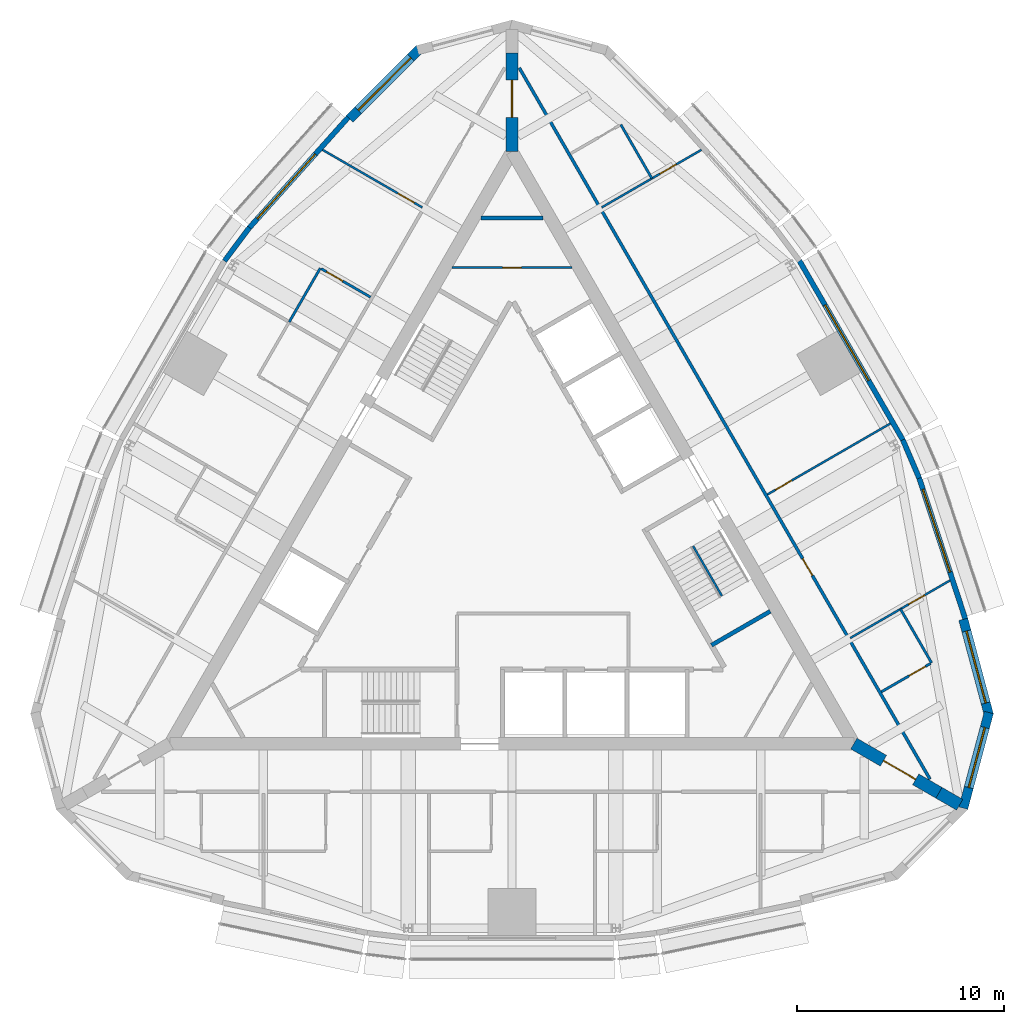
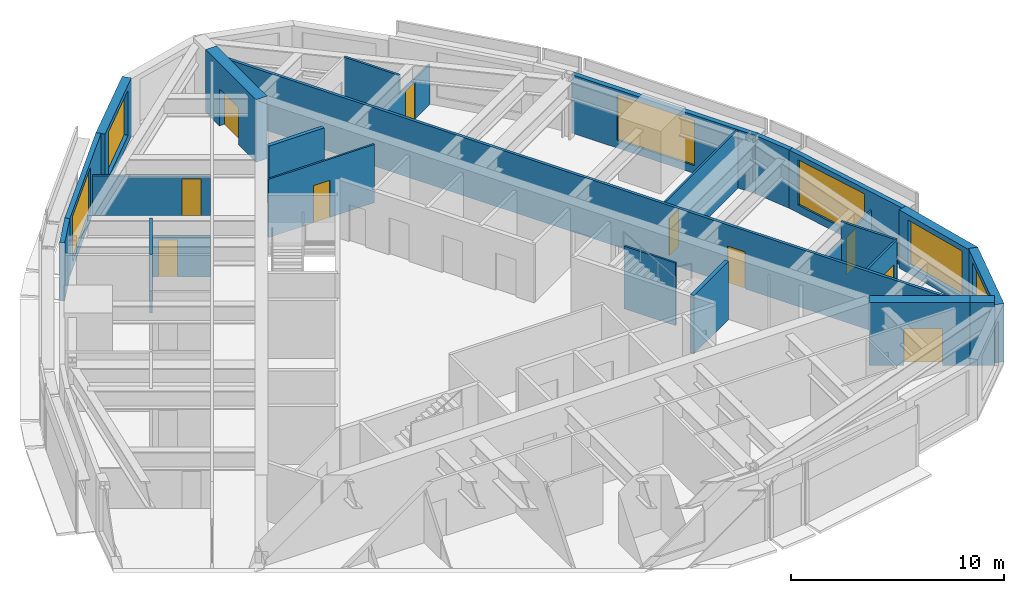
# One storey, part 10 of 12: 25 walls, 10 doors, 6 windows, 16 openings.
"""IFC4 building model written with IfcOpenShell, lengths in metres."""

from ifc_helpers import new_model, si_unit, direction, frame, frame_2d, origin, place, context, subcontext, project, spatial, polyline, rectangle, outline, extrude, material, layer, layer_set, type_object, element, fill, save


model = new_model("IFC4")

# Units and contexts
model_context = context("Model", 3, precision=1e-05, world=origin(), true_north=direction((0.0, 1.0)))
body_context = subcontext(model_context, "Body", "Model", "MODEL_VIEW")
ifc_project = project(units=[si_unit("LENGTHUNIT", "METRE"), si_unit("AREAUNIT", "SQUARE_METRE"), si_unit("VOLUMEUNIT", "CUBIC_METRE"), si_unit("PLANEANGLEUNIT", "RADIAN"), si_unit("MASSUNIT", "GRAM", prefix="KILO")], contexts=[model_context])

# Site, building, storey
site_placement = place(None, origin())
site = spatial("IfcSite", under=ifc_project, at=site_placement, CompositionType="ELEMENT")
building_placement = place(site_placement, origin())
building = spatial("IfcBuilding", under=site, at=building_placement, Name="Trikona Tower", CompositionType="ELEMENT")
storey_placement = place(building_placement, frame((0.0, 0.0, 271.699951171875)))
storey = spatial("IfcBuildingStorey", under=building, at=storey_placement, Name="L72", CompositionType="ELEMENT", Elevation=271.699951171875)

# Wall
ifc_material_1 = material(Name="Metal stud and cement board", Category="gypsum")
ifc_layer_1 = layer(ifc_material_1, 0.1201171875)
ifc_layer_set_1 = layer_set([ifc_layer_1], Name="Bathroom wall 120")
wall_type_1 = type_object("IfcWallType", Name="Bathroom wall 120", PredefinedType="PLUMBINGWALL", material=ifc_layer_set_1)
wall_1_placement = place(storey_placement, frame((20.25341796875, -5.627197265625, 0.0), z_axis=(0.0, 0.0, 1.0), x_axis=(-0.50002537861, 0.866010750942, 0.0)))
element("IfcWall", 1, at=wall_1_placement, inside=storey, type_object=wall_type_1, Name="Bathroom wall 7206.1", PredefinedType="PLUMBINGWALL", context=body_context, shape_type="SweptSolid", body=[
    extrude(rectangle(XDim=2.999755859375, YDim=0.1201171875, at=frame_2d((1.5, 0.0))), origin(), (0.0, 0.0, 1.0), 3.35009765625),
])

# Wall, opening, door
wall_2_placement = place(storey_placement, frame((17.82861328125, -7.027099609375, 0.0), z_axis=(0.0, 0.0, 1.0), x_axis=(0.866035715982, 0.499982138324, 0.0)))
wall_2 = element("IfcWall", 2, at=wall_2_placement, inside=storey, type_object=wall_type_1, Name="Bathroom wall 7206.1", PredefinedType="PLUMBINGWALL", context=body_context, shape_type="SweptSolid", body=[
    extrude(rectangle(XDim=2.73974609375, YDim=0.1201171875, at=frame_2d((1.369873046875, 0.0))), origin(), (0.0, 0.0, 1.0), 3.35009765625),
])
opening_1_placement = place(wall_2_placement, frame((1.550048828125, 0.0, 0.0)))
opening_1 = element("IfcOpeningElement", 3, at=opening_1_placement, cuts=wall_2, Name="Opening D2", PredefinedType="OPENING", context=body_context, shape_type="SweptSolid", body=[
    extrude(rectangle(XDim=0.89990234375, YDim=2.1298828125, at=frame_2d((0.449951171875, 1.06494140625))), frame((0.0, 0.070068359375, 0.0), z_axis=(0.0, -1.0, 0.0), x_axis=(1.0, 0.0, 0.0)), (0.0, 0.0, 1.0), 0.14013671875),
])
ifc_material_2 = material(Name="Steel door frame with solid-core timber leaf", Category="steel")
door_type_1 = type_object("IfcDoorType", Name="Bathroom door 900x2130", OperationType="SLIDING_TO_LEFT", PredefinedType="DOOR", material=ifc_material_2)
door_1_placement = place(opening_1_placement, origin())
door_1 = element("IfcDoor", 4, at=door_1_placement, inside=storey, type_object=door_type_1, Name="Bathroom door 7206.1", OperationType="SLIDING_TO_LEFT", OverallHeight=2.1298828125, OverallWidth=0.89990234375, PredefinedType="DOOR", context=body_context, shape_type="SweptSolid", body=[
    extrude(rectangle(XDim=0.89990234375, YDim=2.1298828125, at=frame_2d((0.449951171875, 1.06494140625))), frame((0.0, 0.02490234375, 0.0), z_axis=(0.0, -1.0, 0.0), x_axis=(1.0, 0.0, 0.0)), (0.0, 0.0, 1.0), 0.050048828125),
])
fill(opening_1, door_1)

# Walls
for number, where, z_axis, x_axis, name in (
    (5, (6.75341796875, 17.75537109375, 0.0), (0.0, 0.0, 1.0), (-0.499990139034, 0.866031096941, 0.0), "Bathroom wall 7206.2"),
    (6, (-9.25341796875, 13.42529296875, 0.0), (0.0, 0.0, 1.0), (-0.499990139034, -0.866031096941, 0.0), "Bathroom wall 7207.1"),
):
    element("IfcWall", number, at=place(storey_placement, frame(where, z_axis=z_axis, x_axis=x_axis)), inside=storey, type_object=wall_type_1, Name=name, PredefinedType="PLUMBINGWALL", context=body_context, shape_type="SweptSolid", body=[
        extrude(rectangle(XDim=3.0, YDim=0.1201171875, at=frame_2d((1.5, 0.0))), origin(), (0.0, 0.0, 1.0), 3.35009765625),
    ])

# Wall, opening, door
wall_3_placement = place(storey_placement, frame((-6.82861328125, 12.025390625, 0.0), z_axis=(0.0, 0.0, 1.0), x_axis=(-0.866035715982, 0.499982138324, 0.0)))
wall_3 = element("IfcWall", 7, at=wall_3_placement, inside=storey, type_object=wall_type_1, Name="Bathroom wall 7207.1", PredefinedType="PLUMBINGWALL", context=body_context, shape_type="SweptSolid", body=[
    extrude(rectangle(XDim=2.73974609375, YDim=0.1201171875, at=frame_2d((1.369873046875, 0.0))), origin(), (0.0, 0.0, 1.0), 2.30859375),
])
opening_2_placement = place(wall_3_placement, frame((1.550048828125, 0.0, 0.0)))
opening_2 = element("IfcOpeningElement", 8, at=opening_2_placement, cuts=wall_3, Name="Opening D2", PredefinedType="OPENING", context=body_context, shape_type="SweptSolid", body=[
    extrude(rectangle(XDim=0.89990234375, YDim=2.1298828125, at=frame_2d((0.449951171875, 1.06494140625))), frame((0.0, 0.070068359375, 0.0), z_axis=(0.0, -1.0, 0.0), x_axis=(1.0, 0.0, 0.0)), (0.0, 0.0, 1.0), 0.14013671875),
])
door_2_placement = place(opening_2_placement, origin())
door_2 = element("IfcDoor", 9, at=door_2_placement, inside=storey, type_object=door_type_1, Name="Bathroom door 7207.1", OperationType="SLIDING_TO_LEFT", OverallHeight=2.1298828125, OverallWidth=0.89990234375, PredefinedType="DOOR", context=body_context, shape_type="SweptSolid", body=[
    extrude(rectangle(XDim=0.89990234375, YDim=2.1298828125, at=frame_2d((0.449951171875, 1.06494140625))), frame((0.0, 0.02490234375, 0.0), z_axis=(0.0, -1.0, 0.0), x_axis=(1.0, 0.0, 0.0)), (0.0, 0.0, 1.0), 0.050048828125),
])
fill(opening_2, door_2)

# Wall, opening, window
ifc_material_3 = material(Name="Brick-faced precast concrete", Category="masonry")
ifc_layer_2 = layer(ifc_material_3, 0.449951171875)
ifc_layer_set_2 = layer_set([ifc_layer_2], Name="Brick-faced corner wall 450")
wall_type_2 = type_object("IfcWallType", Name="Brick-faced corner wall 450", PredefinedType="SOLIDWALL", material=ifc_layer_set_2)
wall_4_placement = place(storey_placement, frame((21.78271484375, -12.6435546875, 0.0), z_axis=(0.0, 0.0, 1.0), x_axis=(0.25880328844, 0.965930048136, 0.0)))
wall_4 = element("IfcWall", 10, at=wall_4_placement, inside=storey, type_object=wall_type_2, Name="External wall L72-07", PredefinedType="SOLIDWALL", context=body_context, shape_type="SweptSolid", body=[
    extrude(outline(polyline([(4.78173828125, 0.22509765625), (0.43115234375, 0.22509765625), (0.40625, 0.132080078125), (0.0595703125, 0.22509765625), (0.0, 0.22509765625), (0.0, -0.22509765625), (4.78173828125, -0.22509765625), (4.78173828125, 0.22509765625)])), origin(), (0.0, 0.0, 1.0), 3.35009765625),
])
opening_3_placement = place(wall_4_placement, frame((1.031494140625, 0.0, 0.449951171875)))
opening_3 = element("IfcOpeningElement", 11, at=opening_3_placement, cuts=wall_4, Name="Opening W3026", PredefinedType="OPENING", context=body_context, shape_type="SweptSolid", body=[
    extrude(rectangle(XDim=3.0, YDim=2.60009765625, at=frame_2d((1.5, 1.300048828125))), frame((0.0, 0.23486328125, 0.0), z_axis=(0.0, -1.0, 0.0), x_axis=(1.0, 0.0, 0.0)), (0.0, 0.0, 1.0), 0.469970703125),
])
ifc_material_4 = material(Name="Aluminium-framed double glazing", Category="aluminium")
window_type_1 = type_object("IfcWindowType", Name="Window 3000x2600", PartitioningType="SINGLE_PANEL", PredefinedType="WINDOW", material=ifc_material_4)
window_1_placement = place(opening_3_placement, origin())
window_1 = element("IfcWindow", 12, at=window_1_placement, inside=storey, type_object=window_type_1, Name="Window 7206.1", OverallHeight=2.60009765625, OverallWidth=3.0, PartitioningType="SINGLE_PANEL", PredefinedType="WINDOW", context=body_context, shape_type="SweptSolid", body=[
    extrude(rectangle(XDim=3.0, YDim=2.60009765625, at=frame_2d((1.5, 1.300048828125))), frame((0.0, 0.030029296875, 0.0), z_axis=(0.0, -1.0, 0.0), x_axis=(1.0, 0.0, 0.0)), (0.0, 0.0, 1.0), 0.06005859375),
])
fill(opening_3, window_1)

wall_5_placement = place(storey_placement, frame((23.020263671875, -8.14111328125, 0.0), z_axis=(0.0, 0.0, 1.0), x_axis=(-0.25880328844, 0.965930048136, 0.0)))
wall_5 = element("IfcWall", 13, at=wall_5_placement, inside=storey, type_object=wall_type_2, Name="External wall L72-08", PredefinedType="SOLIDWALL", context=body_context, shape_type="SweptSolid", body=[
    extrude(rectangle(XDim=4.78173828125, YDim=0.449951171875, at=frame_2d((2.390869140625, 0.0))), origin(), (0.0, 0.0, 1.0), 3.35009765625),
])
opening_4_placement = place(wall_5_placement, frame((0.5908203125, 0.0, 0.449951171875)))
opening_4 = element("IfcOpeningElement", 14, at=opening_4_placement, cuts=wall_5, Name="Opening W3626", PredefinedType="OPENING", context=body_context, shape_type="SweptSolid", body=[
    extrude(rectangle(XDim=3.60009765625, YDim=2.60009765625, at=frame_2d((1.800048828125, 1.300048828125))), frame((0.0, 0.23486328125, 0.0), z_axis=(0.0, -1.0, 0.0), x_axis=(1.0, 0.0, 0.0)), (0.0, 0.0, 1.0), 0.469970703125),
])
ifc_material_5 = material(Name="Aluminium-framed double glazing", Category="aluminium")
window_type_2 = type_object("IfcWindowType", Name="Window 3600x2600", PartitioningType="SINGLE_PANEL", PredefinedType="WINDOW", material=ifc_material_5)
window_2_placement = place(opening_4_placement, origin())
window_2 = element("IfcWindow", 15, at=window_2_placement, inside=storey, type_object=window_type_2, Name="Window 7206.1", OverallHeight=2.60009765625, OverallWidth=3.60009765625, PartitioningType="SINGLE_PANEL", PredefinedType="WINDOW", context=body_context, shape_type="SweptSolid", body=[
    extrude(rectangle(XDim=3.60009765625, YDim=2.60009765625, at=frame_2d((1.800048828125, 1.300048828125))), frame((0.0, 0.030029296875, 0.0), z_axis=(0.0, -1.0, 0.0), x_axis=(1.0, 0.0, 0.0)), (0.0, 0.0, 1.0), 0.06005859375),
])
fill(opening_4, window_2)

wall_6_placement = place(storey_placement, frame((-4.459716796875, 24.006591796875, 0.0), z_axis=(0.0, 0.0, 1.0), x_axis=(-0.707106781187, -0.707106781187, 0.0)))
wall_6 = element("IfcWall", 16, at=wall_6_placement, inside=storey, type_object=wall_type_2, Name="External wall L72-17", PredefinedType="SOLIDWALL", context=body_context, shape_type="SweptSolid", body=[
    extrude(rectangle(XDim=4.781494140625, YDim=0.449951171875, at=frame_2d((2.390625, 0.0))), origin(), (0.0, 0.0, 1.0), 3.35009765625),
])
opening_5_placement = place(wall_6_placement, frame((0.5908203125, 0.0, 0.449951171875)))
opening_5 = element("IfcOpeningElement", 17, at=opening_5_placement, cuts=wall_6, Name="Opening W3626", PredefinedType="OPENING", context=body_context, shape_type="SweptSolid", body=[
    extrude(rectangle(XDim=3.60009765625, YDim=2.60009765625, at=frame_2d((1.800048828125, 1.300048828125))), frame((0.0, 0.23486328125, 0.0), z_axis=(0.0, -1.0, 0.0), x_axis=(1.0, 0.0, 0.0)), (0.0, 0.0, 1.0), 0.469970703125),
])
window_3_placement = place(opening_5_placement, origin())
window_3 = element("IfcWindow", 18, at=window_3_placement, inside=storey, type_object=window_type_2, Name="Window 7207", OverallHeight=2.60009765625, OverallWidth=3.60009765625, PartitioningType="SINGLE_PANEL", PredefinedType="WINDOW", context=body_context, shape_type="SweptSolid", body=[
    extrude(rectangle(XDim=3.60009765625, YDim=2.60009765625, at=frame_2d((1.800048828125, 1.300048828125))), frame((0.0, 0.030029296875, 0.0), z_axis=(0.0, -1.0, 0.0), x_axis=(1.0, 0.0, 0.0)), (0.0, 0.0, 1.0), 0.06005859375),
])
fill(opening_5, window_3)

# Wall, opening, door
ifc_material_6 = material(Name="Concrete f'c 10000 psi", Category="concrete")
ifc_layer_3 = layer(ifc_material_6, 0.60009765625)
ifc_layer_set_3 = layer_set([ifc_layer_3], Name="Buttress wall 600")
wall_type_3 = type_object("IfcWallType", Name="Buttress wall 600", PredefinedType="SHEAR", material=ifc_layer_set_3)
wall_7_placement = place(storey_placement, frame((16.5, -9.5263671875, 0.0), z_axis=(0.0, 0.0, 1.0), x_axis=(0.866031398331, -0.499989616998, 0.0)))
wall_7 = element("IfcWall", 19, at=wall_7_placement, inside=storey, type_object=wall_type_3, Name="Buttress wall 1", PredefinedType="SHEAR", context=body_context, shape_type="SweptSolid", body=[
    extrude(rectangle(XDim=4.74609375, YDim=0.60009765625, at=frame_2d((2.373046875, 0.0))), origin(), (0.0, 0.0, 1.0), 3.60009765625),
])
opening_6_placement = place(wall_7_placement, frame((1.64990234375, 0.0, 0.0)))
opening_6 = element("IfcOpeningElement", 20, at=opening_6_placement, cuts=wall_7, Name="Opening D10", PredefinedType="OPENING", context=body_context, shape_type="SweptSolid", body=[
    extrude(rectangle(XDim=1.800048828125, YDim=2.1298828125, at=frame_2d((0.89990234375, 1.06494140625))), frame((0.0, 0.31005859375, 0.0), z_axis=(0.0, -1.0, 0.0), x_axis=(1.0, 0.0, 0.0)), (0.0, 0.0, 1.0), 0.6201171875),
])
ifc_material_7 = material(Name="Hollow metal door and frame", Category="steel")
door_type_2 = type_object("IfcDoorType", Name="Cross-corridor door pair 1800x2130", OperationType="DOUBLE_DOOR_DOUBLE_SWING", PredefinedType="DOOR", material=ifc_material_7)
door_3_placement = place(opening_6_placement, origin())
door_3 = element("IfcDoor", 21, at=door_3_placement, inside=storey, type_object=door_type_2, Name="Cross-corridor door 1", OperationType="DOUBLE_DOOR_DOUBLE_SWING", OverallHeight=2.1298828125, OverallWidth=1.800048828125, PredefinedType="DOOR", context=body_context, shape_type="SweptSolid", body=[
    extrude(rectangle(XDim=1.800048828125, YDim=2.1298828125, at=frame_2d((0.89990234375, 1.06494140625))), frame((0.0, 0.02490234375, 0.0), z_axis=(0.0, -1.0, 0.0), x_axis=(1.0, 0.0, 0.0)), (0.0, 0.0, 1.0), 0.050048828125),
])
fill(opening_6, door_3)

# Wall
wall_8_placement = place(storey_placement, frame((20.6103515625, -11.8994140625, 0.0), z_axis=(0.0, 0.0, 1.0), x_axis=(0.866009537788, -0.500027479704, 0.0)))
element("IfcWall", 22, at=wall_8_placement, inside=storey, type_object=wall_type_3, Name="Buttress wall 1 part 2", PredefinedType="SHEAR", context=body_context, shape_type="SweptSolid", body=[
    extrude(rectangle(XDim=1.15478515625, YDim=0.60009765625, at=frame_2d((0.577392578125, 0.0))), origin(), (0.0, 0.0, 1.0), 3.60009765625),
])

# Wall, opening, door
wall_9_placement = place(storey_placement, frame((0.0, 19.052490234375, 0.0), z_axis=(0.0, 0.0, 1.0), x_axis=(0.0, 1.0, 0.0)))
wall_9 = element("IfcWall", 23, at=wall_9_placement, inside=storey, type_object=wall_type_3, Name="Buttress wall 2", PredefinedType="SHEAR", context=body_context, shape_type="SweptSolid", body=[
    extrude(rectangle(XDim=4.74609375, YDim=0.60009765625, at=frame_2d((2.373046875, 0.0))), origin(), (0.0, 0.0, 1.0), 3.60009765625),
])
opening_7_placement = place(wall_9_placement, frame((1.64990234375, 0.0, 0.0)))
opening_7 = element("IfcOpeningElement", 24, at=opening_7_placement, cuts=wall_9, Name="Opening D10", PredefinedType="OPENING", context=body_context, shape_type="SweptSolid", body=[
    extrude(rectangle(XDim=1.800048828125, YDim=2.1298828125, at=frame_2d((0.89990234375, 1.06494140625))), frame((0.0, 0.31005859375, 0.0), z_axis=(0.0, -1.0, 0.0), x_axis=(1.0, 0.0, 0.0)), (0.0, 0.0, 1.0), 0.6201171875),
])
door_4_placement = place(opening_7_placement, origin())
door_4 = element("IfcDoor", 25, at=door_4_placement, inside=storey, type_object=door_type_2, Name="Cross-corridor door 2", OperationType="DOUBLE_DOOR_DOUBLE_SWING", OverallHeight=2.1298828125, OverallWidth=1.800048828125, PredefinedType="DOOR", context=body_context, shape_type="SweptSolid", body=[
    extrude(rectangle(XDim=1.800048828125, YDim=2.1298828125, at=frame_2d((0.89990234375, 1.06494140625))), frame((0.0, 0.02490234375, 0.0), z_axis=(0.0, -1.0, 0.0), x_axis=(1.0, 0.0, 0.0)), (0.0, 0.0, 1.0), 0.050048828125),
])
fill(opening_7, door_4)

ifc_material_8 = material(Name="Metal stud and gypsum board, 1-hour", Category="gypsum")
ifc_layer_4 = layer(ifc_material_8, 0.14990234375)
ifc_layer_set_4 = layer_set([ifc_layer_4], Name="Corridor wall 150")
wall_type_4 = type_object("IfcWallType", Name="Corridor wall 150", PredefinedType="PARTITIONING", material=ifc_layer_set_4)
wall_10_placement = place(storey_placement, frame((20.177001953125, -11.2451171875, 0.0), z_axis=(0.0, 0.0, 1.0), x_axis=(-0.499998875317, 0.866026053119, 0.0)))
wall_10 = element("IfcWall", 26, at=wall_10_placement, inside=storey, type_object=wall_type_4, Name="Corridor wall L72-2", PredefinedType="PARTITIONING", context=body_context, shape_type="SweptSolid", body=[
    extrude(rectangle(XDim=39.65380859375, YDim=0.14990234375, at=frame_2d((19.826904296875, 0.0))), origin(), (0.0, 0.0, 1.0), 3.35009765625),
])
opening_8_placement = place(wall_10_placement, frame((11.35205078125, 0.0, 0.0)))
opening_8 = element("IfcOpeningElement", 27, at=opening_8_placement, cuts=wall_10, Name="Opening D1", PredefinedType="OPENING", context=body_context, shape_type="SweptSolid", body=[
    extrude(rectangle(XDim=0.949951171875, YDim=2.1298828125, at=frame_2d((0.47509765625, 1.06494140625))), frame((0.0, 0.0849609375, 0.0), z_axis=(0.0, -1.0, 0.0), x_axis=(1.0, 0.0, 0.0)), (0.0, 0.0, 1.0), 0.169921875),
])
ifc_material_9 = material(Name="Steel door frame with solid-core timber leaf", Category="steel")
door_type_3 = type_object("IfcDoorType", Name="Guest room door 950x2130", OperationType="SINGLE_SWING_LEFT", PredefinedType="DOOR", material=ifc_material_9)
door_5_placement = place(opening_8_placement, origin())
door_5 = element("IfcDoor", 28, at=door_5_placement, inside=storey, type_object=door_type_3, Name="Room door 7206", OperationType="SINGLE_SWING_LEFT", OverallHeight=2.1298828125, OverallWidth=0.949951171875, PredefinedType="DOOR", context=body_context, shape_type="SweptSolid", body=[
    extrude(rectangle(XDim=0.949951171875, YDim=2.1298828125, at=frame_2d((0.47509765625, 1.06494140625))), frame((0.0, 0.02490234375, 0.0), z_axis=(0.0, -1.0, 0.0), x_axis=(1.0, 0.0, 0.0)), (0.0, 0.0, 1.0), 0.050048828125),
])
fill(opening_8, door_5)

# Wall, opening, window
ifc_material_10 = material(Name="Insulated precast concrete spandrel panel", Category="concrete")
ifc_layer_5 = layer(ifc_material_10, 0.25)
ifc_layer_set_5 = layer_set([ifc_layer_5], Name="Inner skin wall 250")
wall_type_5 = type_object("IfcWallType", Name="Inner skin wall 250", PredefinedType="STANDARD", material=ifc_layer_set_5)
wall_11_placement = place(storey_placement, frame((21.881103515625, -3.5029296875, 0.0), z_axis=(0.0, 0.0, 1.0), x_axis=(-0.311328857048, 0.95030223759, 0.0)))
wall_11 = element("IfcWall", 29, at=wall_11_placement, inside=storey, type_object=wall_type_5, Name="External wall L72-09", PredefinedType="STANDARD", context=body_context, shape_type="SweptSolid", body=[
    extrude(rectangle(XDim=7.152587890625, YDim=0.25, at=frame_2d((3.576171875, 0.0))), origin(), (0.0, 0.0, 1.0), 3.35009765625),
])
opening_9_placement = place(wall_11_placement, frame((2.3759765625, 0.0, 0.449951171875)))
opening_9 = element("IfcOpeningElement", 30, at=opening_9_placement, cuts=wall_11, Name="Opening W4226", PredefinedType="OPENING", context=body_context, shape_type="SweptSolid", body=[
    extrude(rectangle(XDim=4.199951171875, YDim=2.60009765625, at=frame_2d((2.10009765625, 1.300048828125))), frame((0.0, 0.135009765625, 0.0), z_axis=(0.0, -1.0, 0.0), x_axis=(1.0, 0.0, 0.0)), (0.0, 0.0, 1.0), 0.27001953125),
])
ifc_material_11 = material(Name="Aluminium-framed double glazing", Category="aluminium")
window_type_3 = type_object("IfcWindowType", Name="Window 4200x2600", PartitioningType="SINGLE_PANEL", PredefinedType="WINDOW", material=ifc_material_11)
window_4_placement = place(opening_9_placement, origin())
window_4 = element("IfcWindow", 31, at=window_4_placement, inside=storey, type_object=window_type_3, Name="Window 7206", OverallHeight=2.60009765625, OverallWidth=4.199951171875, PartitioningType="SINGLE_PANEL", PredefinedType="WINDOW", context=body_context, shape_type="SweptSolid", body=[
    extrude(rectangle(XDim=4.199951171875, YDim=2.60009765625, at=frame_2d((2.10009765625, 1.300048828125))), frame((0.0, 0.030029296875, 0.0), z_axis=(0.0, -1.0, 0.0), x_axis=(1.0, 0.0, 0.0)), (0.0, 0.0, 1.0), 0.06005859375),
])
fill(opening_9, window_4)

# Wall
wall_12_placement = place(storey_placement, frame((19.658203125, 3.283935546875, 0.0), z_axis=(0.0, 0.0, 1.0), x_axis=(-0.393290226175, 0.91941437774, 0.0)))
element("IfcWall", 32, at=wall_12_placement, inside=storey, type_object=wall_type_5, Name="External wall L72-10", PredefinedType="STANDARD", context=body_context, shape_type="SweptSolid", body=[
    extrude(rectangle(XDim=2.014404296875, YDim=0.25, at=frame_2d((1.00732421875, 0.0))), origin(), (0.0, 0.0, 1.0), 3.35009765625),
])

# Wall, opening, window
wall_13_placement = place(storey_placement, frame((18.87255859375, 5.12255859375, 0.0), z_axis=(0.0, 0.0, 1.0), x_axis=(-0.499993662806, 0.866029062534, 0.0)))
wall_13 = element("IfcWall", 33, at=wall_13_placement, inside=storey, type_object=wall_type_5, Name="External wall L72-11", PredefinedType="STANDARD", context=body_context, shape_type="SweptSolid", body=[
    extrude(rectangle(XDim=10.000244140625, YDim=0.25, at=frame_2d((5.0, 0.0))), origin(), (0.0, 0.0, 1.0), 3.35009765625),
])
opening_10_placement = place(wall_13_placement, frame((3.324951171875, 0.0, 0.449951171875)))
opening_10 = element("IfcOpeningElement", 34, at=opening_10_placement, cuts=wall_13, Name="Opening W4226", PredefinedType="OPENING", context=body_context, shape_type="SweptSolid", body=[
    extrude(rectangle(XDim=4.199951171875, YDim=2.60009765625, at=frame_2d((2.10009765625, 1.300048828125))), frame((0.0, 0.135009765625, 0.0), z_axis=(0.0, -1.0, 0.0), x_axis=(1.0, 0.0, 0.0)), (0.0, 0.0, 1.0), 0.27001953125),
])
window_5_placement = place(opening_10_placement, origin())
window_5 = element("IfcWindow", 35, at=window_5_placement, inside=storey, type_object=window_type_3, Name="Window 7206.3", OverallHeight=2.60009765625, OverallWidth=4.199951171875, PartitioningType="SINGLE_PANEL", PredefinedType="WINDOW", context=body_context, shape_type="SweptSolid", body=[
    extrude(rectangle(XDim=4.199951171875, YDim=2.60009765625, at=frame_2d((2.10009765625, 1.300048828125))), frame((0.0, 0.030029296875, 0.0), z_axis=(0.0, -1.0, 0.0), x_axis=(1.0, 0.0, 0.0)), (0.0, 0.0, 1.0), 0.06005859375),
])
fill(opening_10, window_5)

wall_14_placement = place(storey_placement, frame((-7.906982421875, 20.701171875, 0.0), z_axis=(0.0, 0.0, 1.0), x_axis=(-0.667303550892, -0.744785855778, 0.0)))
wall_14 = element("IfcWall", 36, at=wall_14_placement, inside=storey, type_object=wall_type_5, Name="External wall L72-18", PredefinedType="STANDARD", context=body_context, shape_type="SweptSolid", body=[
    extrude(rectangle(XDim=7.152587890625, YDim=0.25, at=frame_2d((3.576171875, 0.0))), origin(), (0.0, 0.0, 1.0), 3.35009765625),
])
opening_11_placement = place(wall_14_placement, frame((2.3759765625, 0.0, 0.449951171875)))
opening_11 = element("IfcOpeningElement", 37, at=opening_11_placement, cuts=wall_14, Name="Opening W4226", PredefinedType="OPENING", context=body_context, shape_type="SweptSolid", body=[
    extrude(rectangle(XDim=4.199951171875, YDim=2.60009765625, at=frame_2d((2.10009765625, 1.300048828125))), frame((0.0, 0.135009765625, 0.0), z_axis=(0.0, -1.0, 0.0), x_axis=(1.0, 0.0, 0.0)), (0.0, 0.0, 1.0), 0.27001953125),
])
window_6_placement = place(opening_11_placement, origin())
window_6 = element("IfcWindow", 38, at=window_6_placement, inside=storey, type_object=window_type_3, Name="Window 7207.1", OverallHeight=2.60009765625, OverallWidth=4.199951171875, PartitioningType="SINGLE_PANEL", PredefinedType="WINDOW", context=body_context, shape_type="SweptSolid", body=[
    extrude(rectangle(XDim=4.199951171875, YDim=2.60009765625, at=frame_2d((2.10009765625, 1.300048828125))), frame((0.0, 0.030029296875, 0.0), z_axis=(0.0, -1.0, 0.0), x_axis=(1.0, 0.0, 0.0)), (0.0, 0.0, 1.0), 0.06005859375),
])
fill(opening_11, window_6)

# Walls
wall_15_placement = place(storey_placement, frame((-12.673095703125, 15.38232421875, 0.0), z_axis=(0.0, 0.0, 1.0), x_axis=(-0.599650843534, -0.800261748335, 0.0)))
element("IfcWall", 39, at=wall_15_placement, inside=storey, type_object=wall_type_5, Name="External wall L72-19", PredefinedType="STANDARD", context=body_context, shape_type="SweptSolid", body=[
    extrude(rectangle(XDim=2.01416015625, YDim=0.25, at=frame_2d((1.007080078125, 0.0))), origin(), (0.0, 0.0, 1.0), 3.35009765625),
])
ifc_material_12 = material(Name="Concrete f'c 8000 psi", Category="concrete")
ifc_layer_6 = layer(ifc_material_12, 0.199951171875)
ifc_layer_set_6 = layer_set([ifc_layer_6], Name="Shaft wall 200")
wall_type_6 = type_object("IfcWallType", Name="Shaft wall 200", PredefinedType="SOLIDWALL", material=ifc_layer_set_6)
wall_16_placement = place(storey_placement, frame((-1.501220703125, 15.8525390625, 0.0), z_axis=(0.0, 0.0, 1.0), x_axis=(1.0, 0.0, 0.0)))
element("IfcWall", 40, at=wall_16_placement, inside=storey, type_object=wall_type_6, Name="Riser wall L72-RS2", PredefinedType="SOLIDWALL", context=body_context, shape_type="SweptSolid", body=[
    extrude(rectangle(XDim=3.00244140625, YDim=0.199951171875, at=frame_2d((1.501220703125, 0.0))), origin(), (0.0, 0.0, 1.0), 3.35009765625),
])
ifc_material_13 = material(Name="Concrete f'c 8000 psi", Category="concrete")
ifc_layer_7 = layer(ifc_material_13, 0.199951171875)
ifc_layer_set_7 = layer_set([ifc_layer_7], Name="Shaft wall 200 load-bearing")
wall_type_7 = type_object("IfcWallType", Name="Shaft wall 200 load-bearing", PredefinedType="SOLIDWALL", material=ifc_layer_set_7)
wall_17_placement = place(storey_placement, frame((9.62890625, -4.775390625, 0.0), z_axis=(0.0, 0.0, 1.0), x_axis=(0.865995643347, 0.500051543047, 0.0)))
element("IfcWall", 41, at=wall_17_placement, inside=storey, type_object=wall_type_7, Name="Shaft wall B1", PredefinedType="SOLIDWALL", context=body_context, shape_type="SweptSolid", body=[
    extrude(rectangle(XDim=3.275146484375, YDim=0.199951171875, at=frame_2d((1.6376953125, 0.0))), origin(), (0.0, 0.0, 1.0), 3.35009765625),
])
ifc_material_14 = material(Name="Concrete f'c 5000 psi", Category="concrete")
ifc_layer_8 = layer(ifc_material_14, 0.10009765625)
ifc_layer_set_8 = layer_set([ifc_layer_8], Name="Stair spine wall 100")
wall_type_8 = type_object("IfcWallType", Name="Stair spine wall 100", PredefinedType="SOLIDWALL", material=ifc_layer_set_8)
wall_18_placement = place(storey_placement, frame((10.134765625, -2.4013671875, 0.0), z_axis=(0.0, 0.0, 1.0), x_axis=(-0.499992232847, 0.866029888106, 0.0)))
element("IfcWall", 42, at=wall_18_placement, inside=storey, type_object=wall_type_8, Name="Stair B spine wall L72", PredefinedType="SOLIDWALL", context=body_context, shape_type="SweptSolid", body=[
    extrude(rectangle(XDim=2.7939453125, YDim=0.10009765625, at=frame_2d((1.39697265625, 0.0))), origin(), (0.0, 0.0, 1.0), 3.60009765625),
])

# Wall, opening, door
ifc_material_15 = material(Name="Metal stud and gypsum board, acoustic", Category="gypsum")
ifc_layer_9 = layer(ifc_material_15, 0.10009765625)
ifc_layer_set_9 = layer_set([ifc_layer_9], Name="Suite partition 100")
wall_type_9 = type_object("IfcWallType", Name="Suite partition 100", PredefinedType="PARTITIONING", material=ifc_layer_set_9)
wall_19_placement = place(storey_placement, frame((16.32861328125, -4.42919921875, 0.0), z_axis=(0.0, 0.0, 1.0), x_axis=(0.866029066823, 0.499993655377, 0.0)))
wall_19 = element("IfcWall", 43, at=wall_19_placement, inside=storey, type_object=wall_type_9, Name="Suite partition L72 F2 u-12", PredefinedType="PARTITIONING", context=body_context, shape_type="SweptSolid", body=[
    extrude(rectangle(XDim=5.55859375, YDim=0.10009765625, at=frame_2d((2.779296875, 0.0))), origin(), (0.0, 0.0, 1.0), 2.301025390625),
])
opening_12_placement = place(wall_19_placement, frame((3.25, 0.0, 0.0)))
opening_12 = element("IfcOpeningElement", 44, at=opening_12_placement, cuts=wall_19, Name="Opening D13", PredefinedType="OPENING", context=body_context, shape_type="SweptSolid", body=[
    extrude(rectangle(XDim=0.89990234375, YDim=2.1298828125, at=frame_2d((0.449951171875, 1.06494140625))), frame((0.0, 0.06005859375, 0.0), z_axis=(0.0, -1.0, 0.0), x_axis=(1.0, 0.0, 0.0)), (0.0, 0.0, 1.0), 0.1201171875),
])
ifc_material_16 = material(Name="Steel door frame with solid-core timber leaf", Category="steel")
door_type_4 = type_object("IfcDoorType", Name="Suite door 900x2130", OperationType="SINGLE_SWING_LEFT", PredefinedType="DOOR", material=ifc_material_16)
door_6_placement = place(opening_12_placement, origin())
door_6 = element("IfcDoor", 45, at=door_6_placement, inside=storey, type_object=door_type_4, Name="Suite door 7206", OperationType="SINGLE_SWING_RIGHT", OverallHeight=2.1298828125, OverallWidth=0.89990234375, PredefinedType="DOOR", context=body_context, shape_type="SweptSolid", body=[
    extrude(rectangle(XDim=0.89990234375, YDim=2.1298828125, at=frame_2d((0.449951171875, 1.06494140625))), frame((0.0, 0.02490234375, 0.0), z_axis=(0.0, -1.0, 0.0), x_axis=(1.0, 0.0, 0.0)), (0.0, 0.0, 1.0), 0.050048828125),
])
fill(opening_12, door_6)

wall_20_placement = place(storey_placement, frame((12.32861328125, 2.4990234375, 0.0), z_axis=(0.0, 0.0, 1.0), x_axis=(0.866027209835, 0.499996871816, 0.0)))
wall_20 = element("IfcWall", 46, at=wall_20_placement, inside=storey, type_object=wall_type_9, Name="Suite partition L72 F2 u-4", PredefinedType="PARTITIONING", context=body_context, shape_type="SweptSolid", body=[
    extrude(rectangle(XDim=6.85400390625, YDim=0.10009765625, at=frame_2d((3.427001953125, 0.0))), origin(), (0.0, 0.0, 1.0), 3.35009765625),
])
opening_13_placement = place(wall_20_placement, frame((0.449951171875, 0.0, 0.0)))
opening_13 = element("IfcOpeningElement", 47, at=opening_13_placement, cuts=wall_20, Name="Opening D13", PredefinedType="OPENING", context=body_context, shape_type="SweptSolid", body=[
    extrude(rectangle(XDim=0.89990234375, YDim=2.1298828125, at=frame_2d((0.449951171875, 1.06494140625))), frame((0.0, 0.06005859375, 0.0), z_axis=(0.0, -1.0, 0.0), x_axis=(1.0, 0.0, 0.0)), (0.0, 0.0, 1.0), 0.1201171875),
])
door_7_placement = place(opening_13_placement, origin())
door_7 = element("IfcDoor", 48, at=door_7_placement, inside=storey, type_object=door_type_4, Name="Suite door 7206", OperationType="SINGLE_SWING_LEFT", OverallHeight=2.1298828125, OverallWidth=0.89990234375, PredefinedType="DOOR", context=body_context, shape_type="SweptSolid", body=[
    extrude(rectangle(XDim=0.89990234375, YDim=2.1298828125, at=frame_2d((0.449951171875, 1.06494140625))), frame((0.0, 0.02490234375, 0.0), z_axis=(0.0, -1.0, 0.0), x_axis=(1.0, 0.0, 0.0)), (0.0, 0.0, 1.0), 0.050048828125),
])
fill(opening_13, door_7)

wall_21_placement = place(storey_placement, frame((4.32861328125, 16.35546875, 0.0), z_axis=(0.0, 0.0, 1.0), x_axis=(0.866029066823, 0.499993655377, 0.0)))
wall_21 = element("IfcWall", 49, at=wall_21_placement, inside=storey, type_object=wall_type_9, Name="Suite partition L72 F2 u12", PredefinedType="PARTITIONING", context=body_context, shape_type="SweptSolid", body=[
    extrude(rectangle(XDim=5.55859375, YDim=0.10009765625, at=frame_2d((2.779296875, 0.0))), origin(), (0.0, 0.0, 1.0), 2.301025390625),
])
opening_14_placement = place(wall_21_placement, frame((3.25, 0.0, 0.0)))
opening_14 = element("IfcOpeningElement", 50, at=opening_14_placement, cuts=wall_21, Name="Opening D13", PredefinedType="OPENING", context=body_context, shape_type="SweptSolid", body=[
    extrude(rectangle(XDim=0.89990234375, YDim=2.1298828125, at=frame_2d((0.449951171875, 1.06494140625))), frame((0.0, 0.06005859375, 0.0), z_axis=(0.0, -1.0, 0.0), x_axis=(1.0, 0.0, 0.0)), (0.0, 0.0, 1.0), 0.1201171875),
])
door_8_placement = place(opening_14_placement, origin())
door_8 = element("IfcDoor", 51, at=door_8_placement, inside=storey, type_object=door_type_4, Name="Suite door 7206", OperationType="SINGLE_SWING_LEFT", OverallHeight=2.1298828125, OverallWidth=0.89990234375, PredefinedType="DOOR", context=body_context, shape_type="SweptSolid", body=[
    extrude(rectangle(XDim=0.89990234375, YDim=2.1298828125, at=frame_2d((0.449951171875, 1.06494140625))), frame((0.0, 0.02490234375, 0.0), z_axis=(0.0, -1.0, 0.0), x_axis=(1.0, 0.0, 0.0)), (0.0, 0.0, 1.0), 0.050048828125),
])
fill(opening_14, door_8)

wall_22_placement = place(storey_placement, frame((-4.32861328125, 16.35546875, 0.0), z_axis=(0.0, 0.0, 1.0), x_axis=(-0.866029066823, 0.499993655377, 0.0)))
wall_22 = element("IfcWall", 52, at=wall_22_placement, inside=storey, type_object=wall_type_9, Name="Suite partition L72 F3 u-12", PredefinedType="PARTITIONING", context=body_context, shape_type="SweptSolid", body=[
    extrude(rectangle(XDim=5.55859375, YDim=0.10009765625, at=frame_2d((2.779296875, 0.0))), origin(), (0.0, 0.0, 1.0), 2.301025390625),
])
opening_15_placement = place(wall_22_placement, frame((0.449951171875, 0.0, 0.0)))
opening_15 = element("IfcOpeningElement", 53, at=opening_15_placement, cuts=wall_22, Name="Opening D13", PredefinedType="OPENING", context=body_context, shape_type="SweptSolid", body=[
    extrude(rectangle(XDim=0.89990234375, YDim=2.1298828125, at=frame_2d((0.449951171875, 1.06494140625))), frame((0.0, 0.06005859375, 0.0), z_axis=(0.0, -1.0, 0.0), x_axis=(1.0, 0.0, 0.0)), (0.0, 0.0, 1.0), 0.1201171875),
])
door_9_placement = place(opening_15_placement, origin())
door_9 = element("IfcDoor", 54, at=door_9_placement, inside=storey, type_object=door_type_4, Name="Suite door 7207", OperationType="SINGLE_SWING_LEFT", OverallHeight=2.1298828125, OverallWidth=0.89990234375, PredefinedType="DOOR", context=body_context, shape_type="SweptSolid", body=[
    extrude(rectangle(XDim=0.89990234375, YDim=2.1298828125, at=frame_2d((0.449951171875, 1.06494140625))), frame((0.0, 0.02490234375, 0.0), z_axis=(0.0, -1.0, 0.0), x_axis=(1.0, 0.0, 0.0)), (0.0, 0.0, 1.0), 0.050048828125),
])
fill(opening_15, door_9)

wall_23_placement = place(storey_placement, frame((-2.88671875, 13.45263671875, 0.0), z_axis=(0.0, 0.0, 1.0), x_axis=(1.0, 0.0, 0.0)))
wall_23 = element("IfcWall", 55, at=wall_23_placement, inside=storey, type_object=wall_type_9, Name="Store partition L72-RS2", PredefinedType="PARTITIONING", context=body_context, shape_type="SweptSolid", body=[
    extrude(rectangle(XDim=5.7734375, YDim=0.10009765625, at=frame_2d((2.88671875, 0.0))), origin(), (0.0, 0.0, 1.0), 3.35009765625),
])
opening_16_placement = place(wall_23_placement, frame((2.436767578125, 0.0, 0.0)))
opening_16 = element("IfcOpeningElement", 56, at=opening_16_placement, cuts=wall_23, Name="Opening D15", PredefinedType="OPENING", context=body_context, shape_type="SweptSolid", body=[
    extrude(rectangle(XDim=0.89990234375, YDim=2.1298828125, at=frame_2d((0.449951171875, 1.06494140625))), frame((0.0, 0.06005859375, 0.0), z_axis=(0.0, -1.0, 0.0), x_axis=(1.0, 0.0, 0.0)), (0.0, 0.0, 1.0), 0.1201171875),
])
ifc_material_17 = material(Name="Steel door frame with solid-core timber leaf", Category="steel")
door_type_5 = type_object("IfcDoorType", Name="Store door 900x2130", OperationType="SINGLE_SWING_LEFT", PredefinedType="DOOR", material=ifc_material_17)
door_10_placement = place(opening_16_placement, origin())
door_10 = element("IfcDoor", 57, at=door_10_placement, inside=storey, type_object=door_type_5, Name="Door Amenity store AMS", OperationType="SINGLE_SWING_RIGHT", OverallHeight=2.1298828125, OverallWidth=0.89990234375, PredefinedType="DOOR", context=body_context, shape_type="SweptSolid", body=[
    extrude(rectangle(XDim=0.89990234375, YDim=2.1298828125, at=frame_2d((0.449951171875, 1.06494140625))), frame((0.0, 0.02490234375, 0.0), z_axis=(0.0, -1.0, 0.0), x_axis=(1.0, 0.0, 0.0)), (0.0, 0.0, 1.0), 0.050048828125),
])
fill(opening_16, door_10)

save(model, "model.ifc")
